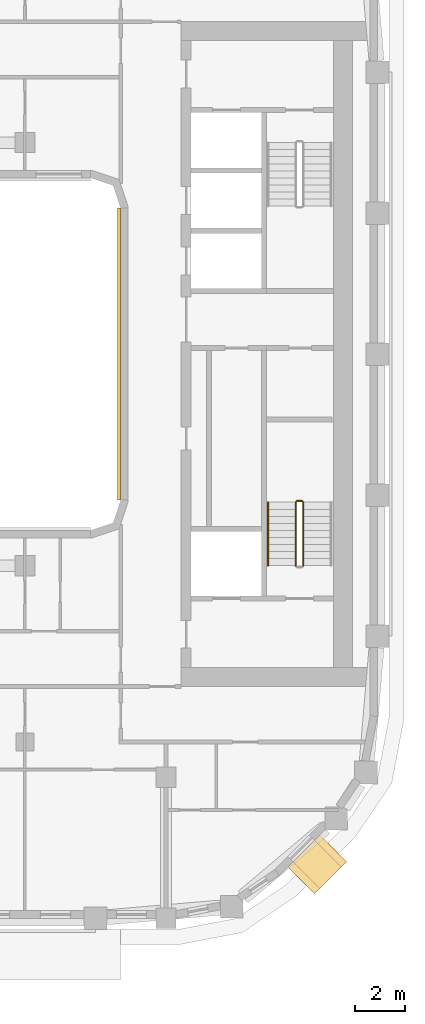
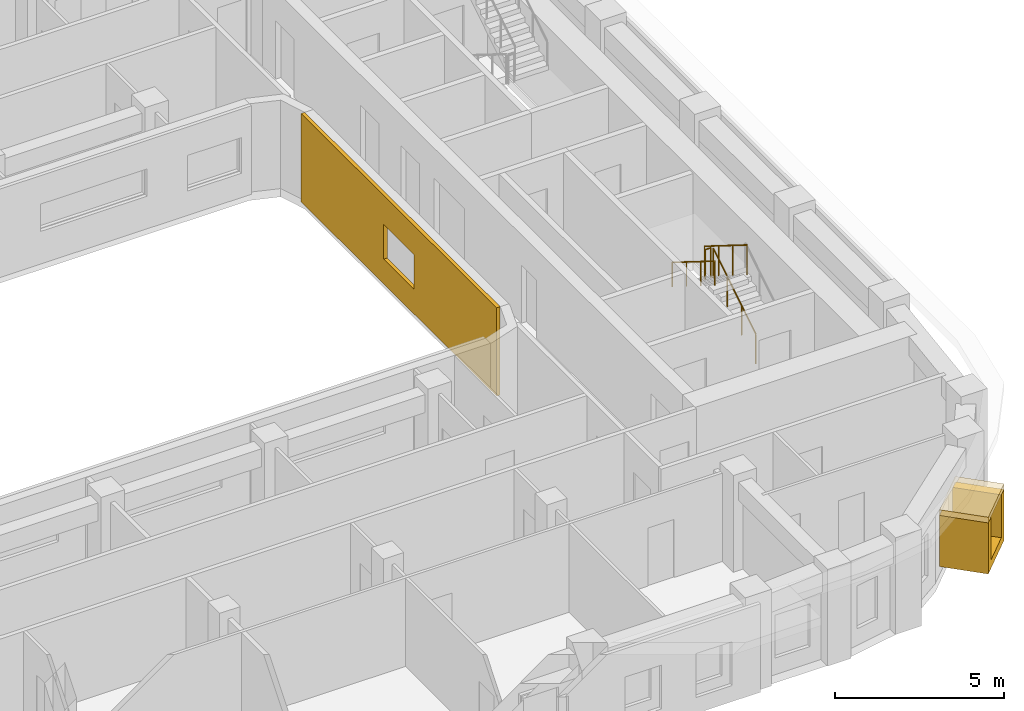
# One storey, part 16 of 21: 4 railings, 3 coverings.
"""IFC4 building model written with IfcOpenShell, lengths in metres."""

from ifc_helpers import new_model, si_unit, direction, frame, origin, origin_2d, place, context, subcontext, project, spatial, polyline, rectangle, circle, outline, extrude, material, layer, layer_set, type_object, element, save


model = new_model("IFC4")

# Units and contexts
model_context = context("Model", 3, precision=1e-05, world=origin(), true_north=direction((0.0, 1.0)))
body_context = subcontext(model_context, "Body", "Model", "MODEL_VIEW")
ifc_project = project(units=[si_unit("LENGTHUNIT", "METRE"), si_unit("AREAUNIT", "SQUARE_METRE"), si_unit("VOLUMEUNIT", "CUBIC_METRE"), si_unit("PLANEANGLEUNIT", "RADIAN"), si_unit("MASSUNIT", "GRAM", prefix="KILO")], contexts=[model_context])

# Site, building, storey
site_placement = place(None, origin())
site = spatial("IfcSite", under=ifc_project, at=site_placement, CompositionType="ELEMENT")
building_placement = place(site_placement, origin())
building = spatial("IfcBuilding", under=site, at=building_placement, Name="Kiln Ring Residences", CompositionType="ELEMENT")
storey_placement = place(building_placement, frame((0.0, 0.0, 199.39990234375)))
storey = spatial("IfcBuildingStorey", under=building, at=storey_placement, Name="L51", CompositionType="ELEMENT", Elevation=199.39990234375)

# Railings
ifc_material_1 = material(Name="Stainless steel", Category="steel")
railing_type_1 = type_object("IfcRailingType", Name="CORE-STAIR-GUARD", PredefinedType="GUARDRAIL", material=ifc_material_1)
railing_1_placement = place(storey_placement, frame((22.25, -8.39990234375, 0.175048828125)))
element("IfcRailing", 1, at=railing_1_placement, inside=storey, type_object=railing_type_1, Name="L51 E-STS stair guard 1", PredefinedType="GUARDRAIL", context=body_context, shape_type="SweptSolid", body=[
    extrude(circle(Radius=0.02392578125, at=origin_2d()), frame((0.0, 0.0, 1.076171875), z_axis=(0.0, 0.848007534815, 0.529984170421), x_axis=(-1.0, 0.0, 0.0)), (0.0, 0.0, 1.0), 2.9716796875),
    extrude(circle(Radius=0.02099609375, at=origin_2d()), origin(), (0.0, 0.0, 1.0), 1.052001953125),
    extrude(circle(Radius=0.02099609375, at=origin_2d()), frame((0.0, 0.840087890625, 0.52490234375)), (0.0, 0.0, 1.0), 1.052001953125),
    extrude(circle(Radius=0.02099609375, at=origin_2d()), frame((0.0, 1.679931640625, 1.050048828125)), (0.0, 0.0, 1.0), 1.052001953125),
    extrude(circle(Radius=0.02099609375, at=origin_2d()), frame((0.0, 2.52001953125, 1.574951171875)), (0.0, 0.0, 1.0), 1.052001953125),
])
railing_2_placement = place(storey_placement, frame((22.199951171875, -5.830078125, 1.75)))
element("IfcRailing", 2, at=railing_2_placement, inside=storey, type_object=railing_type_1, Name="L51 E-STS stair guard 2", PredefinedType="GUARDRAIL", context=body_context, shape_type="SweptSolid", body=[
    extrude(circle(Radius=0.02392578125, at=origin_2d()), frame((0.0, 0.0, 1.076171875), z_axis=(-1.0, 0.0, 0.0), x_axis=(0.0, -1.0, 0.0)), (0.0, 0.0, 1.0), 0.199951171875),
    extrude(circle(Radius=0.02099609375, at=origin_2d()), origin(), (0.0, 0.0, 1.0), 1.052001953125),
    extrude(circle(Radius=0.02099609375, at=origin_2d()), frame((-0.199951171875, 0.0, 0.0)), (0.0, 0.0, 1.0), 1.052001953125),
])
railing_3_placement = place(storey_placement, frame((21.949951171875, -5.8798828125, 1.925048828125)))
element("IfcRailing", 3, at=railing_3_placement, inside=storey, type_object=railing_type_1, Name="L51 E-STS stair guard 3", PredefinedType="GUARDRAIL", context=body_context, shape_type="SweptSolid", body=[
    extrude(circle(Radius=0.02392578125, at=origin_2d()), frame((0.0, 0.0, 1.076171875), z_axis=(0.0, -0.848007534815, 0.529984170421), x_axis=(1.0, 0.0, 0.0)), (0.0, 0.0, 1.0), 2.9716796875),
    extrude(circle(Radius=0.02099609375, at=origin_2d()), origin(), (0.0, 0.0, 1.0), 1.052001953125),
    extrude(circle(Radius=0.02099609375, at=origin_2d()), frame((0.0, -0.840087890625, 0.52490234375)), (0.0, 0.0, 1.0), 1.052001953125),
    extrude(circle(Radius=0.02099609375, at=origin_2d()), frame((0.0, -1.679931640625, 1.050048828125)), (0.0, 0.0, 1.0), 1.052001953125),
    extrude(circle(Radius=0.02099609375, at=origin_2d()), frame((0.0, -2.52001953125, 1.574951171875)), (0.0, 0.0, 1.0), 1.052001953125),
])
ifc_material_2 = material(Name="Stainless steel", Category="steel")
railing_type_2 = type_object("IfcRailingType", Name="CORE-STAIR-HANDRAIL", PredefinedType="HANDRAIL", material=ifc_material_2)
railing_4_placement = place(storey_placement, frame((20.85009765625, -5.8798828125, 1.925048828125)))
element("IfcRailing", 4, at=railing_4_placement, inside=storey, type_object=railing_type_2, Name="L51 E-STS stair handrail 2", PredefinedType="HANDRAIL", context=body_context, shape_type="SweptSolid", body=[
    extrude(circle(Radius=0.02392578125, at=origin_2d()), frame((0.0, 0.0, 0.8759765625), z_axis=(0.0, -0.848007534815, 0.529984170421), x_axis=(1.0, 0.0, 0.0)), (0.0, 0.0, 1.0), 2.9716796875),
    extrude(circle(Radius=0.02099609375, at=origin_2d()), origin(), (0.0, 0.0, 1.0), 0.851806640625),
    extrude(circle(Radius=0.02099609375, at=origin_2d()), frame((0.0, -0.840087890625, 0.52490234375)), (0.0, 0.0, 1.0), 0.851806640625),
    extrude(circle(Radius=0.02099609375, at=origin_2d()), frame((0.0, -1.679931640625, 1.050048828125)), (0.0, 0.0, 1.0), 0.851806640625),
    extrude(circle(Radius=0.02099609375, at=origin_2d()), frame((0.0, -2.52001953125, 1.574951171875)), (0.0, 0.0, 1.0), 0.851806640625),
])

# Coverings
ifc_material_3 = material(Name="Brick masonry, dark clay brick", Category="masonry")
ifc_layer_1 = layer(ifc_material_3, 0.300048828125)
ifc_layer_set_1 = layer_set([ifc_layer_1], Name="FRAME CHEEKS AND SILL 1500")
covering_type_1 = type_object("IfcCoveringType", Name="FRAME CHEEKS AND SILL 1500", PredefinedType="CLADDING", material=ifc_layer_set_1)
covering_1_placement = place(storey_placement, frame((22.163330078125, -20.8974609375, 0.300048828125), z_axis=(0.0, 0.0, 1.0), x_axis=(0.707038962956, 0.707174592913, 0.0)))
element("IfcCovering", 5, at=covering_1_placement, inside=storey, type_object=covering_type_1, Name="FRAME L51", PredefinedType="CLADDING", context=body_context, shape_type="SweptSolid", body=[
    extrude(outline(polyline([(0.0, 0.0), (1.800048828125, 0.0), (1.800048828125, 1.85009765625), (1.5009765625, 1.85009765625), (1.5, 0.300048828125), (0.300048828125, 0.300048828125), (0.299072265625, 1.85009765625), (0.0, 1.85009765625), (0.0, 0.0)])), frame((0.0, 0.75, 0.0), z_axis=(0.0, -1.0, 0.0), x_axis=(1.0, 0.0, 0.0)), (0.0, 0.0, 1.0), 1.5),
])
ifc_material_4 = material(Name="Brick masonry, dark clay brick", Category="masonry")
ifc_layer_2 = layer(ifc_material_4, 0.199951171875)
ifc_layer_set_2 = layer_set([ifc_layer_2], Name="FRAME HEAD 1500")
covering_type_2 = type_object("IfcCoveringType", Name="FRAME HEAD 1500", PredefinedType="CLADDING", material=ifc_layer_set_2)
covering_2_placement = place(storey_placement, frame((22.799560546875, -20.260986328125, 2.14990234375), z_axis=(0.0, 0.0, 1.0), x_axis=(0.707106781187, 0.707106781187, 0.0)))
element("IfcCovering", 6, at=covering_2_placement, inside=storey, type_object=covering_type_2, Name="FRAME HEAD L51", PredefinedType="CLADDING", context=body_context, shape_type="SweptSolid", body=[
    extrude(rectangle(XDim=1.800048828125, YDim=1.5, at=origin_2d()), origin(), (0.0, 0.0, 1.0), 0.199951171875),
])
ifc_material_5 = material(Name="Brick masonry, dark clay brick", Category="masonry")
ifc_layer_3 = layer(ifc_material_5, 0.1201171875)
ifc_layer_set_3 = layer_set([ifc_layer_3], Name="RAINSCREEN PANEL 120")
covering_type_3 = type_object("IfcCoveringType", Name="RAINSCREEN PANEL 120", PredefinedType="CLADDING", material=ifc_layer_set_3)
covering_3_placement = place(storey_placement, frame((14.93994140625, 5.800048828125, 0.0), z_axis=(0.0, 0.0, 1.0), x_axis=(0.0, -1.0, 0.0)))
element("IfcCovering", 7, at=covering_3_placement, inside=storey, type_object=covering_type_3, Name="RAINSCREEN L51", PredefinedType="CLADDING", context=body_context, shape_type="SweptSolid", body=[
    extrude(outline(polyline([(0.0, 0.0), (11.60009765625, 0.0), (11.60009765625, 3.2001953125), (0.0, 3.2001953125), (0.0, 0.0)]), holes=[polyline([(4.89990234375, 2.150146484375), (4.89990234375, 0.900146484375), (6.699951171875, 0.900146484375), (6.699951171875, 2.150146484375), (4.89990234375, 2.150146484375)])]), frame((0.0, 0.06005859375, 0.0), z_axis=(0.0, -1.0, 0.0), x_axis=(1.0, 0.0, 0.0)), (0.0, 0.0, 1.0), 0.1201171875),
])

save(model, "model.ifc")
